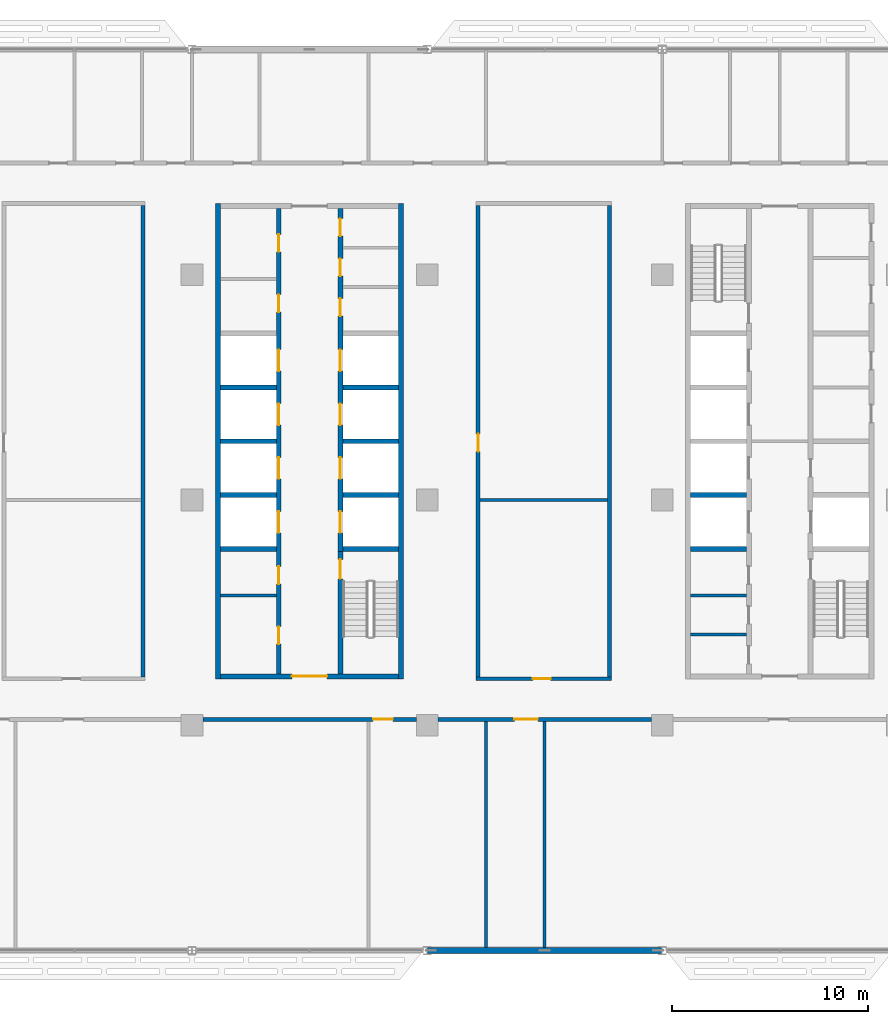
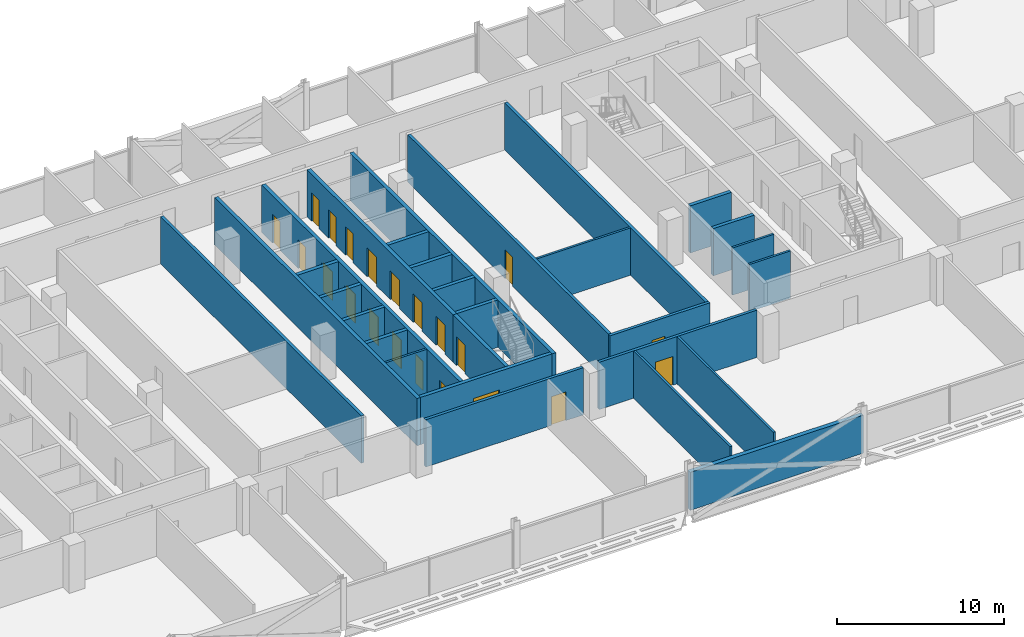
# One storey, part 14 of 30: 29 walls, 21 doors, 21 openings.
"""IFC4 building model written with IfcOpenShell, lengths in metres."""

from ifc_helpers import new_model, si_unit, direction, frame, frame_2d, origin, place, context, subcontext, project, spatial, rectangle, extrude, material, layer, layer_set, type_object, element, fill, save


model = new_model("IFC4")

# Units and contexts
model_context = context("Model", 3, precision=1e-05, world=origin(), true_north=direction((0.0, 1.0)))
body_context = subcontext(model_context, "Body", "Model", "MODEL_VIEW")
ifc_project = project(units=[si_unit("LENGTHUNIT", "METRE"), si_unit("AREAUNIT", "SQUARE_METRE"), si_unit("VOLUMEUNIT", "CUBIC_METRE"), si_unit("PLANEANGLEUNIT", "RADIAN"), si_unit("MASSUNIT", "GRAM", prefix="KILO")], contexts=[model_context])

# Site, building, storey
site_placement = place(None, origin())
site = spatial("IfcSite", under=ifc_project, at=site_placement, CompositionType="ELEMENT")
building_placement = place(site_placement, origin())
building = spatial("IfcBuilding", under=site, at=building_placement, Name="Mahtab Terrace Research Tower", CompositionType="ELEMENT")
storey_placement = place(building_placement, frame((0.0, 0.0, 216.699951171875)))
storey = spatial("IfcBuildingStorey", under=building, at=storey_placement, Name="L52", CompositionType="ELEMENT", Elevation=216.699951171875)

# Walls
ifc_material_1 = material(Name="Gypsum board partition")
ifc_layer_1 = layer(ifc_material_1, 0.14990234375)
ifc_layer_set_1 = layer_set([ifc_layer_1], Name="Core partition 150")
wall_type_1 = type_object("IfcWallType", Name="Core partition 150", PredefinedType="PARTITIONING", material=ifc_layer_set_1)
for number, where, z_axis, x_axis, name in (
    (1, (-4.550048828125, -4.875, 0.0), (0.0, 0.0, 1.0), (1.0, 0.0, 0.0), "Core wall B pWS-788"),
    (2, (19.449951171875, -6.875, 0.0), (0.0, 0.0, 1.0), (1.0, 0.0, 0.0), "Core wall C pWS-988"),
    (3, (19.449951171875, -4.875, 0.0), (0.0, 0.0, 1.0), (1.0, 0.0, 0.0), "Core wall C pWS-788"),
):
    element("IfcWall", number, at=place(storey_placement, frame(where, z_axis=z_axis, x_axis=x_axis)), inside=storey, type_object=wall_type_1, Name=name, PredefinedType="PARTITIONING", context=body_context, shape_type="SweptSolid", body=[
        extrude(rectangle(XDim=2.85009765625, YDim=0.14990234375, at=frame_2d((1.425048828125, 0.0))), origin(), (0.0, 0.0, 1.0), 3.4599609375),
    ])
ifc_material_2 = material(Name="Concrete C70/85", Category="concrete")
ifc_layer_2 = layer(ifc_material_2, 0.25)
ifc_layer_set_2 = layer_set([ifc_layer_2], Name="Core wall 250")
wall_type_2 = type_object("IfcWallType", Name="Core wall 250", PredefinedType="SOLIDWALL", material=ifc_layer_set_2)
for number, where, z_axis, x_axis, name in (
    (4, (-4.675048828125, 15.125, 0.0), (0.0, 0.0, 1.0), (0.0, -1.0, 0.0), "Core wall B outerW"),
    (5, (4.675048828125, -9.125, 0.0), (0.0, 0.0, 1.0), (0.0, 1.0, 0.0), "Core wall B outerE"),
):
    element("IfcWall", number, at=place(storey_placement, frame(where, z_axis=z_axis, x_axis=x_axis)), inside=storey, type_object=wall_type_2, Name=name, PredefinedType="SOLIDWALL", context=body_context, shape_type="SweptSolid", body=[
        extrude(rectangle(XDim=24.25, YDim=0.25, at=frame_2d((12.125, 0.0))), origin(), (0.0, 0.0, 1.0), 3.4599609375),
    ])

# Wall, opening, door
wall_1_placement = place(storey_placement, frame((4.550048828125, -9.0, 0.0), z_axis=(0.0, 0.0, 1.0), x_axis=(-1.0, 0.0, 0.0)))
wall_1 = element("IfcWall", 6, at=wall_1_placement, inside=storey, type_object=wall_type_2, Name="Core wall B endS", PredefinedType="SOLIDWALL", context=body_context, shape_type="SweptSolid", body=[
    extrude(rectangle(XDim=9.10009765625, YDim=0.25, at=frame_2d((4.550048828125, 0.0))), origin(), (0.0, 0.0, 1.0), 3.4599609375),
])
opening_1_placement = place(wall_1_placement, frame((3.64990234375, 0.0, 0.0)))
opening_1 = element("IfcOpeningElement", 7, at=opening_1_placement, cuts=wall_1, Name="Opening B-S1", PredefinedType="OPENING", context=body_context, shape_type="SweptSolid", body=[
    extrude(rectangle(XDim=1.800048828125, YDim=2.10009765625, at=frame_2d((0.89990234375, 1.050048828125))), frame((0.0, 0.135009765625, 0.0), z_axis=(0.0, -1.0, 0.0), x_axis=(1.0, 0.0, 0.0)), (0.0, 0.0, 1.0), 0.27001953125),
])
ifc_material_3 = material(Name="Steel fire door", Category="steel")
door_type_1 = type_object("IfcDoorType", Name="Lobby double door 1800x2100 1 HR", OperationType="DOUBLE_DOOR_SINGLE_SWING", PredefinedType="DOOR", material=ifc_material_3)
door_1_placement = place(opening_1_placement, origin())
door_1 = element("IfcDoor", 8, at=door_1_placement, inside=storey, type_object=door_type_1, Name="Core entrance door B S", OperationType="DOUBLE_DOOR_SINGLE_SWING", OverallHeight=2.10009765625, OverallWidth=1.800048828125, PredefinedType="DOOR", context=body_context, shape_type="SweptSolid", body=[
    extrude(rectangle(XDim=1.800048828125, YDim=2.10009765625, at=frame_2d((0.89990234375, 1.050048828125))), frame((0.0, 0.02490234375, 0.0), z_axis=(0.0, -1.0, 0.0), x_axis=(1.0, 0.0, 0.0)), (0.0, 0.0, 1.0), 0.050048828125),
])
fill(opening_1, door_1)

# Wall, openings, doors
wall_2_placement = place(storey_placement, frame((-1.574951171875, -8.875, 0.0), z_axis=(0.0, 0.0, 1.0), x_axis=(0.0, 1.0, 0.0)))
wall_2 = element("IfcWall", 9, at=wall_2_placement, inside=storey, type_object=wall_type_2, Name="Core wall B innerWSLN", PredefinedType="SOLIDWALL", context=body_context, shape_type="SweptSolid", body=[
    extrude(rectangle(XDim=23.75, YDim=0.25, at=frame_2d((11.875, 0.0))), origin(), (0.0, 0.0, 1.0), 3.4599609375),
])
opening_2_placement = place(wall_2_placement, frame((7.199951171875, 0.0, 0.0)))
opening_2 = element("IfcOpeningElement", 10, at=opening_2_placement, cuts=wall_2, Name="Opening LD09-L52", PredefinedType="OPENING", context=body_context, shape_type="SweptSolid", body=[
    extrude(rectangle(XDim=1.10009765625, YDim=2.10009765625, at=frame_2d((0.550048828125, 1.050048828125))), frame((0.0, 0.135009765625, 0.0), z_axis=(0.0, -1.0, 0.0), x_axis=(1.0, 0.0, 0.0)), (0.0, 0.0, 1.0), 0.27001953125),
])
opening_3_placement = place(wall_2_placement, frame((9.949951171875, 0.0, 0.0)))
opening_3 = element("IfcOpeningElement", 11, at=opening_3_placement, cuts=wall_2, Name="Opening LD10-L52", PredefinedType="OPENING", context=body_context, shape_type="SweptSolid", body=[
    extrude(rectangle(XDim=1.10009765625, YDim=2.10009765625, at=frame_2d((0.550048828125, 1.050048828125))), frame((0.0, 0.135009765625, 0.0), z_axis=(0.0, -1.0, 0.0), x_axis=(1.0, 0.0, 0.0)), (0.0, 0.0, 1.0), 0.27001953125),
])
opening_4_placement = place(wall_2_placement, frame((12.699951171875, 0.0, 0.0)))
opening_4 = element("IfcOpeningElement", 12, at=opening_4_placement, cuts=wall_2, Name="Opening LD11-L52", PredefinedType="OPENING", context=body_context, shape_type="SweptSolid", body=[
    extrude(rectangle(XDim=1.10009765625, YDim=2.10009765625, at=frame_2d((0.550048828125, 1.050048828125))), frame((0.0, 0.135009765625, 0.0), z_axis=(0.0, -1.0, 0.0), x_axis=(1.0, 0.0, 0.0)), (0.0, 0.0, 1.0), 0.27001953125),
])
opening_5_placement = place(wall_2_placement, frame((15.449951171875, 0.0, 0.0)))
opening_5 = element("IfcOpeningElement", 13, at=opening_5_placement, cuts=wall_2, Name="Opening LD12-L52", PredefinedType="OPENING", context=body_context, shape_type="SweptSolid", body=[
    extrude(rectangle(XDim=1.10009765625, YDim=2.10009765625, at=frame_2d((0.550048828125, 1.050048828125))), frame((0.0, 0.135009765625, 0.0), z_axis=(0.0, -1.0, 0.0), x_axis=(1.0, 0.0, 0.0)), (0.0, 0.0, 1.0), 0.27001953125),
])
opening_6_placement = place(wall_2_placement, frame((1.512451171875, 0.0, 0.0)))
opening_6 = element("IfcOpeningElement", 14, at=opening_6_placement, cuts=wall_2, Name="Opening B-R1", PredefinedType="OPENING", context=body_context, shape_type="SweptSolid", body=[
    extrude(rectangle(XDim=0.89990234375, YDim=2.10009765625, at=frame_2d((0.449951171875, 1.050048828125))), frame((0.0, 0.135009765625, 0.0), z_axis=(0.0, -1.0, 0.0), x_axis=(1.0, 0.0, 0.0)), (0.0, 0.0, 1.0), 0.27001953125),
])
opening_7_placement = place(wall_2_placement, frame((4.58740234375, 0.0, 0.0)))
opening_7 = element("IfcOpeningElement", 15, at=opening_7_placement, cuts=wall_2, Name="Opening B-R2", PredefinedType="OPENING", context=body_context, shape_type="SweptSolid", body=[
    extrude(rectangle(XDim=0.89990234375, YDim=2.10009765625, at=frame_2d((0.449951171875, 1.050048828125))), frame((0.0, 0.135009765625, 0.0), z_axis=(0.0, -1.0, 0.0), x_axis=(1.0, 0.0, 0.0)), (0.0, 0.0, 1.0), 0.27001953125),
])
opening_8_placement = place(wall_2_placement, frame((18.46240234375, 0.0, 0.0)))
opening_8 = element("IfcOpeningElement", 16, at=opening_8_placement, cuts=wall_2, Name="Opening B-R3", PredefinedType="OPENING", context=body_context, shape_type="SweptSolid", body=[
    extrude(rectangle(XDim=0.89990234375, YDim=2.10009765625, at=frame_2d((0.449951171875, 1.050048828125))), frame((0.0, 0.135009765625, 0.0), z_axis=(0.0, -1.0, 0.0), x_axis=(1.0, 0.0, 0.0)), (0.0, 0.0, 1.0), 0.27001953125),
])
opening_9_placement = place(wall_2_placement, frame((21.53759765625, 0.0, 0.0)))
opening_9 = element("IfcOpeningElement", 17, at=opening_9_placement, cuts=wall_2, Name="Opening B-R4", PredefinedType="OPENING", context=body_context, shape_type="SweptSolid", body=[
    extrude(rectangle(XDim=0.89990234375, YDim=2.10009765625, at=frame_2d((0.449951171875, 1.050048828125))), frame((0.0, 0.135009765625, 0.0), z_axis=(0.0, -1.0, 0.0), x_axis=(1.0, 0.0, 0.0)), (0.0, 0.0, 1.0), 0.27001953125),
])
ifc_material_4 = material(Name="Stainless steel AISI 304", Category="steel")
door_type_2 = type_object("IfcDoorType", Name="Landing door 1100x2100", OperationType="DOUBLE_DOOR_SLIDING", PredefinedType="DOOR", material=ifc_material_4)
door_2_placement = place(opening_2_placement, origin())
door_2 = element("IfcDoor", 18, at=door_2_placement, inside=storey, type_object=door_type_2, Name="Landing door HR1 L52", OperationType="DOUBLE_DOOR_SLIDING", OverallHeight=2.10009765625, OverallWidth=1.10009765625, PredefinedType="DOOR", context=body_context, shape_type="SweptSolid", body=[
    extrude(rectangle(XDim=1.10009765625, YDim=2.10009765625, at=frame_2d((0.550048828125, 1.050048828125))), frame((0.0, 0.02490234375, 0.0), z_axis=(0.0, -1.0, 0.0), x_axis=(1.0, 0.0, 0.0)), (0.0, 0.0, 1.0), 0.050048828125),
])
fill(opening_2, door_2)
door_3_placement = place(opening_3_placement, origin())
door_3 = element("IfcDoor", 19, at=door_3_placement, inside=storey, type_object=door_type_2, Name="Landing door HR2 L52", OperationType="DOUBLE_DOOR_SLIDING", OverallHeight=2.10009765625, OverallWidth=1.10009765625, PredefinedType="DOOR", context=body_context, shape_type="SweptSolid", body=[
    extrude(rectangle(XDim=1.10009765625, YDim=2.10009765625, at=frame_2d((0.550048828125, 1.050048828125))), frame((0.0, 0.02490234375, 0.0), z_axis=(0.0, -1.0, 0.0), x_axis=(1.0, 0.0, 0.0)), (0.0, 0.0, 1.0), 0.050048828125),
])
fill(opening_3, door_3)
door_4_placement = place(opening_4_placement, origin())
door_4 = element("IfcDoor", 20, at=door_4_placement, inside=storey, type_object=door_type_2, Name="Landing door HR3 L52", OperationType="DOUBLE_DOOR_SLIDING", OverallHeight=2.10009765625, OverallWidth=1.10009765625, PredefinedType="DOOR", context=body_context, shape_type="SweptSolid", body=[
    extrude(rectangle(XDim=1.10009765625, YDim=2.10009765625, at=frame_2d((0.550048828125, 1.050048828125))), frame((0.0, 0.02490234375, 0.0), z_axis=(0.0, -1.0, 0.0), x_axis=(1.0, 0.0, 0.0)), (0.0, 0.0, 1.0), 0.050048828125),
])
fill(opening_4, door_4)
door_5_placement = place(opening_5_placement, origin())
door_5 = element("IfcDoor", 21, at=door_5_placement, inside=storey, type_object=door_type_2, Name="Landing door HR4 L52", OperationType="DOUBLE_DOOR_SLIDING", OverallHeight=2.10009765625, OverallWidth=1.10009765625, PredefinedType="DOOR", context=body_context, shape_type="SweptSolid", body=[
    extrude(rectangle(XDim=1.10009765625, YDim=2.10009765625, at=frame_2d((0.550048828125, 1.050048828125))), frame((0.0, 0.02490234375, 0.0), z_axis=(0.0, -1.0, 0.0), x_axis=(1.0, 0.0, 0.0)), (0.0, 0.0, 1.0), 0.050048828125),
])
fill(opening_5, door_5)
door_type_3 = type_object("IfcDoorType", Name="Room door 900x2100 1 HR", OperationType="NOTDEFINED", PredefinedType="DOOR", material=ifc_material_3)
door_6_placement = place(opening_6_placement, origin())
door_6 = element("IfcDoor", 22, at=door_6_placement, inside=storey, type_object=door_type_3, Name="IT equipment room door", OperationType="SINGLE_SWING_LEFT", OverallHeight=2.10009765625, OverallWidth=0.89990234375, PredefinedType="DOOR", context=body_context, shape_type="SweptSolid", body=[
    extrude(rectangle(XDim=0.89990234375, YDim=2.10009765625, at=frame_2d((0.449951171875, 1.050048828125))), frame((0.0, 0.02490234375, 0.0), z_axis=(0.0, -1.0, 0.0), x_axis=(1.0, 0.0, 0.0)), (0.0, 0.0, 1.0), 0.050048828125),
])
fill(opening_6, door_6)
door_7_placement = place(opening_7_placement, origin())
door_7 = element("IfcDoor", 23, at=door_7_placement, inside=storey, type_object=door_type_3, Name="Electrical riser room door", OperationType="SINGLE_SWING_RIGHT", OverallHeight=2.10009765625, OverallWidth=0.89990234375, PredefinedType="DOOR", context=body_context, shape_type="SweptSolid", body=[
    extrude(rectangle(XDim=0.89990234375, YDim=2.10009765625, at=frame_2d((0.449951171875, 1.050048828125))), frame((0.0, 0.02490234375, 0.0), z_axis=(0.0, -1.0, 0.0), x_axis=(1.0, 0.0, 0.0)), (0.0, 0.0, 1.0), 0.050048828125),
])
fill(opening_7, door_7)
door_8_placement = place(opening_8_placement, origin())
door_8 = element("IfcDoor", 24, at=door_8_placement, inside=storey, type_object=door_type_3, Name="Mechanical riser room door", OperationType="SINGLE_SWING_LEFT", OverallHeight=2.10009765625, OverallWidth=0.89990234375, PredefinedType="DOOR", context=body_context, shape_type="SweptSolid", body=[
    extrude(rectangle(XDim=0.89990234375, YDim=2.10009765625, at=frame_2d((0.449951171875, 1.050048828125))), frame((0.0, 0.02490234375, 0.0), z_axis=(0.0, -1.0, 0.0), x_axis=(1.0, 0.0, 0.0)), (0.0, 0.0, 1.0), 0.050048828125),
])
fill(opening_8, door_8)
door_9_placement = place(opening_9_placement, origin())
door_9 = element("IfcDoor", 25, at=door_9_placement, inside=storey, type_object=door_type_3, Name="Chemical store door", OperationType="SINGLE_SWING_RIGHT", OverallHeight=2.10009765625, OverallWidth=0.89990234375, PredefinedType="DOOR", context=body_context, shape_type="SweptSolid", body=[
    extrude(rectangle(XDim=0.89990234375, YDim=2.10009765625, at=frame_2d((0.449951171875, 1.050048828125))), frame((0.0, 0.02490234375, 0.0), z_axis=(0.0, -1.0, 0.0), x_axis=(1.0, 0.0, 0.0)), (0.0, 0.0, 1.0), 0.050048828125),
])
fill(opening_9, door_9)

# Wall, opening, door
wall_3_placement = place(storey_placement, frame((1.574951171875, -8.875, 0.0), z_axis=(0.0, 0.0, 1.0), x_axis=(0.0, 1.0, 0.0)))
wall_3 = element("IfcWall", 26, at=wall_3_placement, inside=storey, type_object=wall_type_2, Name="Core wall B innerES", PredefinedType="SOLIDWALL", context=body_context, shape_type="SweptSolid", body=[
    extrude(rectangle(XDim=6.25, YDim=0.25, at=frame_2d((3.125, 0.0))), origin(), (0.0, 0.0, 1.0), 3.4599609375),
])
opening_10_placement = place(wall_3_placement, frame((4.85009765625, 0.0, 0.0)))
opening_10 = element("IfcOpeningElement", 27, at=opening_10_placement, cuts=wall_3, Name="Opening B-ST2", PredefinedType="OPENING", context=body_context, shape_type="SweptSolid", body=[
    extrude(rectangle(XDim=1.0, YDim=2.10009765625, at=frame_2d((0.5, 1.050048828125))), frame((0.0, 0.135009765625, 0.0), z_axis=(0.0, -1.0, 0.0), x_axis=(1.0, 0.0, 0.0)), (0.0, 0.0, 1.0), 0.27001953125),
])
door_type_4 = type_object("IfcDoorType", Name="Stair door 1000x2100 1.5 HR", OperationType="NOTDEFINED", PredefinedType="DOOR", material=ifc_material_3)
door_10_placement = place(opening_10_placement, origin())
door_10 = element("IfcDoor", 28, at=door_10_placement, inside=storey, type_object=door_type_4, Name="Stair door ST2 L52", OperationType="SINGLE_SWING_RIGHT", OverallHeight=2.10009765625, OverallWidth=1.0, PredefinedType="DOOR", context=body_context, shape_type="SweptSolid", body=[
    extrude(rectangle(XDim=1.0, YDim=2.10009765625, at=frame_2d((0.5, 1.050048828125))), frame((0.0, 0.02490234375, 0.0), z_axis=(0.0, -1.0, 0.0), x_axis=(1.0, 0.0, 0.0)), (0.0, 0.0, 1.0), 0.050048828125),
])
fill(opening_10, door_10)

# Wall, openings, doors
wall_4_placement = place(storey_placement, frame((1.574951171875, 14.875, 0.0), z_axis=(0.0, 0.0, 1.0), x_axis=(0.0, -1.0, 0.0)))
wall_4 = element("IfcWall", 29, at=wall_4_placement, inside=storey, type_object=wall_type_2, Name="Core wall B innerELN", PredefinedType="SOLIDWALL", context=body_context, shape_type="SweptSolid", body=[
    extrude(rectangle(XDim=17.5, YDim=0.25, at=frame_2d((8.75, 0.0))), origin(), (0.0, 0.0, 1.0), 3.4599609375),
])
opening_11_placement = place(wall_4_placement, frame((15.449951171875, 0.0, 0.0)))
opening_11 = element("IfcOpeningElement", 30, at=opening_11_placement, cuts=wall_4, Name="Opening LD13-L52", PredefinedType="OPENING", context=body_context, shape_type="SweptSolid", body=[
    extrude(rectangle(XDim=1.10009765625, YDim=2.10009765625, at=frame_2d((0.550048828125, 1.050048828125))), frame((0.0, 0.135009765625, 0.0), z_axis=(0.0, -1.0, 0.0), x_axis=(1.0, 0.0, 0.0)), (0.0, 0.0, 1.0), 0.27001953125),
])
opening_12_placement = place(wall_4_placement, frame((12.699951171875, 0.0, 0.0)))
opening_12 = element("IfcOpeningElement", 31, at=opening_12_placement, cuts=wall_4, Name="Opening LD14-L52", PredefinedType="OPENING", context=body_context, shape_type="SweptSolid", body=[
    extrude(rectangle(XDim=1.10009765625, YDim=2.10009765625, at=frame_2d((0.550048828125, 1.050048828125))), frame((0.0, 0.135009765625, 0.0), z_axis=(0.0, -1.0, 0.0), x_axis=(1.0, 0.0, 0.0)), (0.0, 0.0, 1.0), 0.27001953125),
])
opening_13_placement = place(wall_4_placement, frame((9.949951171875, 0.0, 0.0)))
opening_13 = element("IfcOpeningElement", 32, at=opening_13_placement, cuts=wall_4, Name="Opening LD15-L52", PredefinedType="OPENING", context=body_context, shape_type="SweptSolid", body=[
    extrude(rectangle(XDim=1.10009765625, YDim=2.10009765625, at=frame_2d((0.550048828125, 1.050048828125))), frame((0.0, 0.135009765625, 0.0), z_axis=(0.0, -1.0, 0.0), x_axis=(1.0, 0.0, 0.0)), (0.0, 0.0, 1.0), 0.27001953125),
])
opening_14_placement = place(wall_4_placement, frame((7.199951171875, 0.0, 0.0)))
opening_14 = element("IfcOpeningElement", 33, at=opening_14_placement, cuts=wall_4, Name="Opening LD16-L52", PredefinedType="OPENING", context=body_context, shape_type="SweptSolid", body=[
    extrude(rectangle(XDim=1.10009765625, YDim=2.10009765625, at=frame_2d((0.550048828125, 1.050048828125))), frame((0.0, 0.135009765625, 0.0), z_axis=(0.0, -1.0, 0.0), x_axis=(1.0, 0.0, 0.0)), (0.0, 0.0, 1.0), 0.27001953125),
])
opening_15_placement = place(wall_4_placement, frame((4.58740234375, 0.0, 0.0)))
opening_15 = element("IfcOpeningElement", 34, at=opening_15_placement, cuts=wall_4, Name="Opening B-R5", PredefinedType="OPENING", context=body_context, shape_type="SweptSolid", body=[
    extrude(rectangle(XDim=0.89990234375, YDim=2.10009765625, at=frame_2d((0.449951171875, 1.050048828125))), frame((0.0, 0.135009765625, 0.0), z_axis=(0.0, -1.0, 0.0), x_axis=(1.0, 0.0, 0.0)), (0.0, 0.0, 1.0), 0.27001953125),
])
opening_16_placement = place(wall_4_placement, frame((2.550048828125, 0.0, 0.0)))
opening_16 = element("IfcOpeningElement", 35, at=opening_16_placement, cuts=wall_4, Name="Opening B-R6", PredefinedType="OPENING", context=body_context, shape_type="SweptSolid", body=[
    extrude(rectangle(XDim=0.89990234375, YDim=2.10009765625, at=frame_2d((0.449951171875, 1.050048828125))), frame((0.0, 0.135009765625, 0.0), z_axis=(0.0, -1.0, 0.0), x_axis=(1.0, 0.0, 0.0)), (0.0, 0.0, 1.0), 0.27001953125),
])
opening_17_placement = place(wall_4_placement, frame((0.512451171875, 0.0, 0.0)))
opening_17 = element("IfcOpeningElement", 36, at=opening_17_placement, cuts=wall_4, Name="Opening B-R7", PredefinedType="OPENING", context=body_context, shape_type="SweptSolid", body=[
    extrude(rectangle(XDim=0.89990234375, YDim=2.10009765625, at=frame_2d((0.449951171875, 1.050048828125))), frame((0.0, 0.135009765625, 0.0), z_axis=(0.0, -1.0, 0.0), x_axis=(1.0, 0.0, 0.0)), (0.0, 0.0, 1.0), 0.27001953125),
])
door_11_placement = place(opening_11_placement, origin())
door_11 = element("IfcDoor", 37, at=door_11_placement, inside=storey, type_object=door_type_2, Name="Landing door HR5 L52", OperationType="DOUBLE_DOOR_SLIDING", OverallHeight=2.10009765625, OverallWidth=1.10009765625, PredefinedType="DOOR", context=body_context, shape_type="SweptSolid", body=[
    extrude(rectangle(XDim=1.10009765625, YDim=2.10009765625, at=frame_2d((0.550048828125, 1.050048828125))), frame((0.0, 0.02490234375, 0.0), z_axis=(0.0, -1.0, 0.0), x_axis=(1.0, 0.0, 0.0)), (0.0, 0.0, 1.0), 0.050048828125),
])
fill(opening_11, door_11)
door_12_placement = place(opening_12_placement, origin())
door_12 = element("IfcDoor", 38, at=door_12_placement, inside=storey, type_object=door_type_2, Name="Landing door HR6 L52", OperationType="DOUBLE_DOOR_SLIDING", OverallHeight=2.10009765625, OverallWidth=1.10009765625, PredefinedType="DOOR", context=body_context, shape_type="SweptSolid", body=[
    extrude(rectangle(XDim=1.10009765625, YDim=2.10009765625, at=frame_2d((0.550048828125, 1.050048828125))), frame((0.0, 0.02490234375, 0.0), z_axis=(0.0, -1.0, 0.0), x_axis=(1.0, 0.0, 0.0)), (0.0, 0.0, 1.0), 0.050048828125),
])
fill(opening_12, door_12)
door_13_placement = place(opening_13_placement, origin())
door_13 = element("IfcDoor", 39, at=door_13_placement, inside=storey, type_object=door_type_2, Name="Landing door HR7 L52", OperationType="DOUBLE_DOOR_SLIDING", OverallHeight=2.10009765625, OverallWidth=1.10009765625, PredefinedType="DOOR", context=body_context, shape_type="SweptSolid", body=[
    extrude(rectangle(XDim=1.10009765625, YDim=2.10009765625, at=frame_2d((0.550048828125, 1.050048828125))), frame((0.0, 0.02490234375, 0.0), z_axis=(0.0, -1.0, 0.0), x_axis=(1.0, 0.0, 0.0)), (0.0, 0.0, 1.0), 0.050048828125),
])
fill(opening_13, door_13)
door_14_placement = place(opening_14_placement, origin())
door_14 = element("IfcDoor", 40, at=door_14_placement, inside=storey, type_object=door_type_2, Name="Landing door HR8 L52", OperationType="DOUBLE_DOOR_SLIDING", OverallHeight=2.10009765625, OverallWidth=1.10009765625, PredefinedType="DOOR", context=body_context, shape_type="SweptSolid", body=[
    extrude(rectangle(XDim=1.10009765625, YDim=2.10009765625, at=frame_2d((0.550048828125, 1.050048828125))), frame((0.0, 0.02490234375, 0.0), z_axis=(0.0, -1.0, 0.0), x_axis=(1.0, 0.0, 0.0)), (0.0, 0.0, 1.0), 0.050048828125),
])
fill(opening_14, door_14)
door_15_placement = place(opening_15_placement, origin())
door_15 = element("IfcDoor", 41, at=door_15_placement, inside=storey, type_object=door_type_3, Name="Male WC door", OperationType="SINGLE_SWING_LEFT", OverallHeight=2.10009765625, OverallWidth=0.89990234375, PredefinedType="DOOR", context=body_context, shape_type="SweptSolid", body=[
    extrude(rectangle(XDim=0.89990234375, YDim=2.10009765625, at=frame_2d((0.449951171875, 1.050048828125))), frame((0.0, 0.02490234375, 0.0), z_axis=(0.0, -1.0, 0.0), x_axis=(1.0, 0.0, 0.0)), (0.0, 0.0, 1.0), 0.050048828125),
])
fill(opening_15, door_15)
door_16_placement = place(opening_16_placement, origin())
door_16 = element("IfcDoor", 42, at=door_16_placement, inside=storey, type_object=door_type_3, Name="Female WC door", OperationType="SINGLE_SWING_RIGHT", OverallHeight=2.10009765625, OverallWidth=0.89990234375, PredefinedType="DOOR", context=body_context, shape_type="SweptSolid", body=[
    extrude(rectangle(XDim=0.89990234375, YDim=2.10009765625, at=frame_2d((0.449951171875, 1.050048828125))), frame((0.0, 0.02490234375, 0.0), z_axis=(0.0, -1.0, 0.0), x_axis=(1.0, 0.0, 0.0)), (0.0, 0.0, 1.0), 0.050048828125),
])
fill(opening_16, door_16)
door_17_placement = place(opening_17_placement, origin())
door_17 = element("IfcDoor", 43, at=door_17_placement, inside=storey, type_object=door_type_3, Name="Accessible WC door", OperationType="SINGLE_SWING_LEFT", OverallHeight=2.10009765625, OverallWidth=0.89990234375, PredefinedType="DOOR", context=body_context, shape_type="SweptSolid", body=[
    extrude(rectangle(XDim=0.89990234375, YDim=2.10009765625, at=frame_2d((0.449951171875, 1.050048828125))), frame((0.0, 0.02490234375, 0.0), z_axis=(0.0, -1.0, 0.0), x_axis=(1.0, 0.0, 0.0)), (0.0, 0.0, 1.0), 0.050048828125),
])
fill(opening_17, door_17)

# Walls
for number, where, z_axis, x_axis, name in (
    (44, (-4.550048828125, -2.5, 0.0), (0.0, 0.0, 1.0), (1.0, 0.0, 0.0), "Core wall B divW0"),
    (45, (-4.550048828125, 0.25, 0.0), (0.0, 0.0, 1.0), (1.0, 0.0, 0.0), "Core wall B divW1"),
    (46, (-4.550048828125, 3.0, 0.0), (0.0, 0.0, 1.0), (1.0, 0.0, 0.0), "Core wall B divW2"),
    (47, (-4.550048828125, 5.75, 0.0), (0.0, 0.0, 1.0), (1.0, 0.0, 0.0), "Core wall B divW3"),
    (48, (1.699951171875, -2.5, 0.0), (0.0, 0.0, 1.0), (1.0, 0.0, 0.0), "Core wall B divE0"),
    (49, (1.699951171875, 0.25, 0.0), (0.0, 0.0, 1.0), (1.0, 0.0, 0.0), "Core wall B divE1"),
    (50, (1.699951171875, 3.0, 0.0), (0.0, 0.0, 1.0), (1.0, 0.0, 0.0), "Core wall B divE2"),
    (51, (1.699951171875, 5.75, 0.0), (0.0, 0.0, 1.0), (1.0, 0.0, 0.0), "Core wall B divE3"),
    (52, (19.449951171875, -2.5, 0.0), (0.0, 0.0, 1.0), (1.0, 0.0, 0.0), "Core wall C divW0"),
    (53, (19.449951171875, 0.25, 0.0), (0.0, 0.0, 1.0), (1.0, 0.0, 0.0), "Core wall C divW1"),
):
    element("IfcWall", number, at=place(storey_placement, frame(where, z_axis=z_axis, x_axis=x_axis)), inside=storey, type_object=wall_type_2, Name=name, PredefinedType="SOLIDWALL", context=body_context, shape_type="SweptSolid", body=[
        extrude(rectangle(XDim=2.85009765625, YDim=0.25, at=frame_2d((1.425048828125, 0.0))), origin(), (0.0, 0.0, 1.0), 3.4599609375),
    ])
ifc_material_5 = material(Name="Black aluminium cladding panel", Category="aluminium")
ifc_layer_3 = layer(ifc_material_5, 0.300048828125)
ifc_layer_set_3 = layer_set([ifc_layer_3], Name="Opaque facade wall 300")
wall_type_3 = type_object("IfcWallType", Name="Opaque facade wall 300", PredefinedType="NOTDEFINED", material=ifc_layer_set_3)
wall_5_placement = place(storey_placement, frame((6.012451171875, -23.0, 0.0), z_axis=(0.0, 0.0, 1.0), x_axis=(1.0, 0.0, 0.0)))
element("IfcWall", 54, at=wall_5_placement, inside=storey, type_object=wall_type_3, Name="Opaque facade wall L52 S27", PredefinedType="NOTDEFINED", context=body_context, shape_type="SweptSolid", body=[
    extrude(rectangle(XDim=11.97509765625, YDim=0.300048828125, at=frame_2d((5.987548828125, 0.0))), origin(), (0.0, 0.0, 1.0), 2.78173828125),
])

# Wall, opening, door
ifc_material_6 = material(Name="Gypsum board corridor wall on steel studs", Category="steel")
ifc_layer_4 = layer(ifc_material_6, 0.199951171875)
ifc_layer_set_4 = layer_set([ifc_layer_4], Name="WALL CORRIDOR 200")
wall_type_4 = type_object("IfcWallType", Name="WALL CORRIDOR 200", PredefinedType="PARTITIONING", material=ifc_layer_set_4)
wall_6_placement = place(storey_placement, frame((-5.449951171875, -11.199951171875, 0.0), z_axis=(0.0, 0.0, 1.0), x_axis=(1.0, 0.0, 0.0)))
wall_6 = element("IfcWall", 55, at=wall_6_placement, inside=storey, type_object=wall_type_4, Name="L52-W004", PredefinedType="PARTITIONING", context=body_context, shape_type="SweptSolid", body=[
    extrude(rectangle(XDim=10.89990234375, YDim=0.199951171875, at=frame_2d((5.449951171875, 0.0))), origin(), (0.0, 0.0, 1.0), 3.4599609375),
])
opening_18_placement = place(wall_6_placement, frame((8.699951171875, 0.0, 0.0)))
opening_18 = element("IfcOpeningElement", 56, at=opening_18_placement, cuts=wall_6, Name="Opening L52-105", PredefinedType="OPENING", context=body_context, shape_type="SweptSolid", body=[
    extrude(rectangle(XDim=1.0, YDim=2.10009765625, at=frame_2d((0.5, 1.050048828125))), frame((0.0, 0.10986328125, 0.0), z_axis=(0.0, -1.0, 0.0), x_axis=(1.0, 0.0, 0.0)), (0.0, 0.0, 1.0), 0.219970703125),
])
ifc_material_7 = material(Name="Timber door leaf in steel frame", Category="steel")
door_type_5 = type_object("IfcDoorType", Name="DOOR 1000X2100 FD30S", OperationType="SINGLE_SWING_LEFT", PredefinedType="DOOR", material=ifc_material_7)
door_18_placement = place(opening_18_placement, origin())
door_18 = element("IfcDoor", 57, at=door_18_placement, inside=storey, type_object=door_type_5, Name="Door L52-105", OperationType="SINGLE_SWING_LEFT", OverallHeight=2.10009765625, OverallWidth=1.0, PredefinedType="DOOR", context=body_context, shape_type="SweptSolid", body=[
    extrude(rectangle(XDim=1.0, YDim=2.10009765625, at=frame_2d((0.5, 1.050048828125))), frame((0.0, 0.02490234375, 0.0), z_axis=(0.0, -1.0, 0.0), x_axis=(1.0, 0.0, 0.0)), (0.0, 0.0, 1.0), 0.050048828125),
])
fill(opening_18, door_18)

wall_7_placement = place(storey_placement, frame((6.550048828125, -11.199951171875, 0.0), z_axis=(0.0, 0.0, 1.0), x_axis=(1.0, 0.0, 0.0)))
wall_7 = element("IfcWall", 58, at=wall_7_placement, inside=storey, type_object=wall_type_4, Name="L52-W005", PredefinedType="PARTITIONING", context=body_context, shape_type="SweptSolid", body=[
    extrude(rectangle(XDim=10.89990234375, YDim=0.199951171875, at=frame_2d((5.449951171875, 0.0))), origin(), (0.0, 0.0, 1.0), 3.4599609375),
])
opening_19_placement = place(wall_7_placement, frame((3.89990234375, 0.0, 0.0)))
opening_19 = element("IfcOpeningElement", 59, at=opening_19_placement, cuts=wall_7, Name="Opening L52-106", PredefinedType="OPENING", context=body_context, shape_type="SweptSolid", body=[
    extrude(rectangle(XDim=1.199951171875, YDim=2.10009765625, at=frame_2d((0.60009765625, 1.050048828125))), frame((0.0, 0.10986328125, 0.0), z_axis=(0.0, -1.0, 0.0), x_axis=(1.0, 0.0, 0.0)), (0.0, 0.0, 1.0), 0.219970703125),
])
door_type_6 = type_object("IfcDoorType", Name="DOOR 1200X2100 FD30S", OperationType="SINGLE_SWING_LEFT", PredefinedType="DOOR", material=ifc_material_7)
door_19_placement = place(opening_19_placement, origin())
door_19 = element("IfcDoor", 60, at=door_19_placement, inside=storey, type_object=door_type_6, Name="Door L52-106", OperationType="SINGLE_SWING_RIGHT", OverallHeight=2.10009765625, OverallWidth=1.199951171875, PredefinedType="DOOR", context=body_context, shape_type="SweptSolid", body=[
    extrude(rectangle(XDim=1.199951171875, YDim=2.10009765625, at=frame_2d((0.60009765625, 1.050048828125))), frame((0.0, 0.02490234375, 0.0), z_axis=(0.0, -1.0, 0.0), x_axis=(1.0, 0.0, 0.0)), (0.0, 0.0, 1.0), 0.050048828125),
])
fill(opening_19, door_19)

wall_8_placement = place(storey_placement, frame((8.5, -9.125, 0.0), z_axis=(0.0, 0.0, 1.0), x_axis=(1.0, 0.0, 0.0)))
wall_8 = element("IfcWall", 61, at=wall_8_placement, inside=storey, type_object=wall_type_4, Name="L52-W011", PredefinedType="PARTITIONING", context=body_context, shape_type="SweptSolid", body=[
    extrude(rectangle(XDim=6.89990234375, YDim=0.199951171875, at=frame_2d((3.449951171875, 0.0))), origin(), (0.0, 0.0, 1.0), 3.4599609375),
])
opening_20_placement = place(wall_8_placement, frame((2.89990234375, 0.0, 0.0)))
opening_20 = element("IfcOpeningElement", 62, at=opening_20_placement, cuts=wall_8, Name="Opening L52-113", PredefinedType="OPENING", context=body_context, shape_type="SweptSolid", body=[
    extrude(rectangle(XDim=0.89990234375, YDim=2.10009765625, at=frame_2d((0.449951171875, 1.050048828125))), frame((0.0, 0.10986328125, 0.0), z_axis=(0.0, -1.0, 0.0), x_axis=(1.0, 0.0, 0.0)), (0.0, 0.0, 1.0), 0.219970703125),
])
door_type_7 = type_object("IfcDoorType", Name="DOOR 0900X2100 FD30S", OperationType="SINGLE_SWING_LEFT", PredefinedType="DOOR", material=ifc_material_7)
door_20_placement = place(opening_20_placement, origin())
door_20 = element("IfcDoor", 63, at=door_20_placement, inside=storey, type_object=door_type_7, Name="Door L52-113", OperationType="SINGLE_SWING_LEFT", OverallHeight=2.10009765625, OverallWidth=0.89990234375, PredefinedType="DOOR", context=body_context, shape_type="SweptSolid", body=[
    extrude(rectangle(XDim=0.89990234375, YDim=2.10009765625, at=frame_2d((0.449951171875, 1.050048828125))), frame((0.0, 0.02490234375, 0.0), z_axis=(0.0, -1.0, 0.0), x_axis=(1.0, 0.0, 0.0)), (0.0, 0.0, 1.0), 0.050048828125),
])
fill(opening_20, door_20)

# Wall
wall_9_placement = place(storey_placement, frame((-8.5, -9.02490234375, 0.0), z_axis=(0.0, 0.0, 1.0), x_axis=(0.0, 1.0, 0.0)))
element("IfcWall", 64, at=wall_9_placement, inside=storey, type_object=wall_type_4, Name="L52-W034", PredefinedType="PARTITIONING", context=body_context, shape_type="SweptSolid", body=[
    extrude(rectangle(XDim=24.0498046875, YDim=0.199951171875, at=frame_2d((12.02490234375, 0.0))), origin(), (0.0, 0.0, 1.0), 3.4599609375),
])

# Wall, opening, door
wall_10_placement = place(storey_placement, frame((8.60009765625, -9.02490234375, 0.0), z_axis=(0.0, 0.0, 1.0), x_axis=(0.0, 1.0, 0.0)))
wall_10 = element("IfcWall", 65, at=wall_10_placement, inside=storey, type_object=wall_type_4, Name="L52-W039", PredefinedType="PARTITIONING", context=body_context, shape_type="SweptSolid", body=[
    extrude(rectangle(XDim=24.0498046875, YDim=0.199951171875, at=frame_2d((12.02490234375, 0.0))), origin(), (0.0, 0.0, 1.0), 3.4599609375),
])
opening_21_placement = place(wall_10_placement, frame((11.5, 0.0, 0.0)))
opening_21 = element("IfcOpeningElement", 66, at=opening_21_placement, cuts=wall_10, Name="Opening L52-118", PredefinedType="OPENING", context=body_context, shape_type="SweptSolid", body=[
    extrude(rectangle(XDim=0.89990234375, YDim=2.10009765625, at=frame_2d((0.449951171875, 1.050048828125))), frame((0.0, 0.10986328125, 0.0), z_axis=(0.0, -1.0, 0.0), x_axis=(1.0, 0.0, 0.0)), (0.0, 0.0, 1.0), 0.219970703125),
])
door_21_placement = place(opening_21_placement, origin())
door_21 = element("IfcDoor", 67, at=door_21_placement, inside=storey, type_object=door_type_7, Name="Door L52-118", OperationType="SINGLE_SWING_RIGHT", OverallHeight=2.10009765625, OverallWidth=0.89990234375, PredefinedType="DOOR", context=body_context, shape_type="SweptSolid", body=[
    extrude(rectangle(XDim=0.89990234375, YDim=2.10009765625, at=frame_2d((0.449951171875, 1.050048828125))), frame((0.0, 0.02490234375, 0.0), z_axis=(0.0, -1.0, 0.0), x_axis=(1.0, 0.0, 0.0)), (0.0, 0.0, 1.0), 0.050048828125),
])
fill(opening_21, door_21)

# Walls
wall_11_placement = place(storey_placement, frame((15.300048828125, -9.02490234375, 0.0), z_axis=(0.0, 0.0, 1.0), x_axis=(0.0, 1.0, 0.0)))
element("IfcWall", 68, at=wall_11_placement, inside=storey, type_object=wall_type_4, Name="L52-W043", PredefinedType="PARTITIONING", context=body_context, shape_type="SweptSolid", body=[
    extrude(rectangle(XDim=24.0498046875, YDim=0.199951171875, at=frame_2d((12.02490234375, 0.0))), origin(), (0.0, 0.0, 1.0), 3.4599609375),
])
ifc_material_8 = material(Name="Gypsum board partition on steel studs", Category="steel")
ifc_layer_5 = layer(ifc_material_8, 0.14990234375)
ifc_layer_set_5 = layer_set([ifc_layer_5], Name="WALL PARTITION 150")
wall_type_5 = type_object("IfcWallType", Name="WALL PARTITION 150", PredefinedType="PARTITIONING", material=ifc_layer_set_5)
wall_12_placement = place(storey_placement, frame((8.699951171875, 0.0, 0.0), z_axis=(0.0, 0.0, 1.0), x_axis=(1.0, 0.0, 0.0)))
element("IfcWall", 69, at=wall_12_placement, inside=storey, type_object=wall_type_5, Name="L52-W015", PredefinedType="PARTITIONING", context=body_context, shape_type="SweptSolid", body=[
    extrude(rectangle(XDim=6.5, YDim=0.14990234375, at=frame_2d((3.25, 0.0))), origin(), (0.0, 0.0, 1.0), 3.4599609375),
])
for number, where, z_axis, x_axis, name in (
    (70, (9.0, -22.85009765625, 0.0), (0.0, 0.0, 1.0), (0.0, 1.0, 0.0), "L52-W040"),
    (71, (12.0, -22.85009765625, 0.0), (0.0, 0.0, 1.0), (0.0, 1.0, 0.0), "L52-W042"),
):
    element("IfcWall", number, at=place(storey_placement, frame(where, z_axis=z_axis, x_axis=x_axis)), inside=storey, type_object=wall_type_5, Name=name, PredefinedType="PARTITIONING", context=body_context, shape_type="SweptSolid", body=[
        extrude(rectangle(XDim=11.550048828125, YDim=0.14990234375, at=frame_2d((5.77490234375, 0.0))), origin(), (0.0, 0.0, 1.0), 3.4599609375),
    ])

save(model, "model.ifc")
